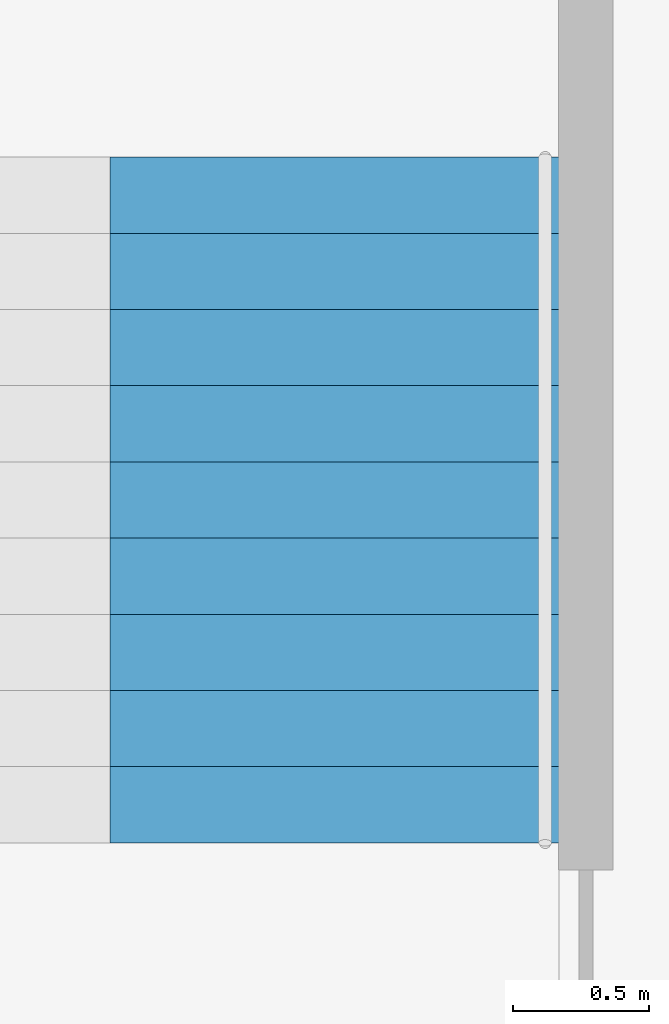
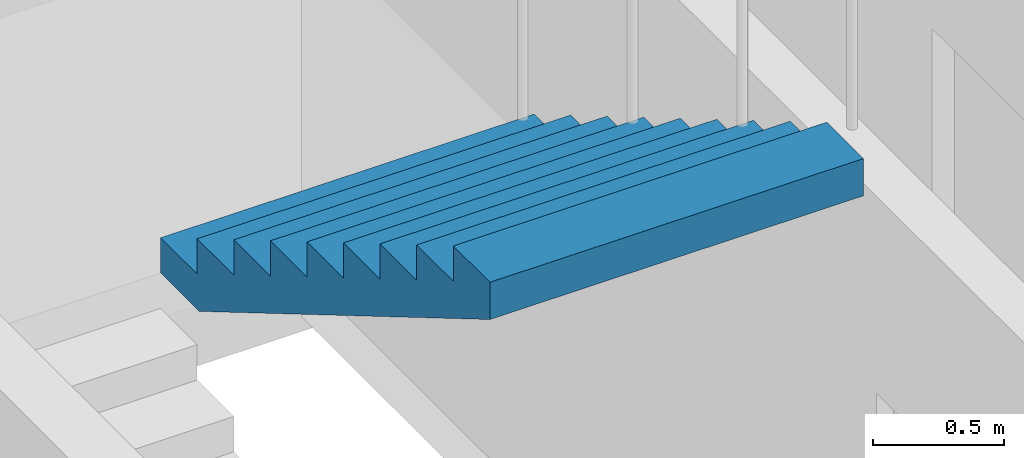
# One storey, part 9 of 12: 1 stair flight, 1 element without a shape of its own.
"""IFC4 building model written with IfcOpenShell, lengths in metres."""

from ifc_helpers import new_model, si_unit, direction, frame, origin, place, context, subcontext, project, spatial, polyline, outline, extrude, material, type_object, element, aggregate, save


model = new_model("IFC4")

# Units and contexts
model_context = context("Model", 3, precision=1e-05, world=origin(), true_north=direction((0.0, 1.0)))
body_context = subcontext(model_context, "Body", "Model", "MODEL_VIEW")
ifc_project = project(units=[si_unit("LENGTHUNIT", "METRE"), si_unit("AREAUNIT", "SQUARE_METRE"), si_unit("VOLUMEUNIT", "CUBIC_METRE"), si_unit("PLANEANGLEUNIT", "RADIAN"), si_unit("MASSUNIT", "GRAM", prefix="KILO")], contexts=[model_context])

# Site, building, storey
site_placement = place(None, origin())
site = spatial("IfcSite", under=ifc_project, at=site_placement, CompositionType="ELEMENT")
building_placement = place(site_placement, origin())
building = spatial("IfcBuilding", under=site, at=building_placement, Name="Taillehof Tower", CompositionType="ELEMENT")
storey_placement = place(building_placement, frame((0.0, 0.0, 239.89990234375)))
storey = spatial("IfcBuildingStorey", under=building, at=storey_placement, Name="L68", CompositionType="ELEMENT", Elevation=239.89990234375)

# Stair, stair flight
ifc_material_1 = material(Name="Concrete C40/50", Category="concrete")
stair_type = type_object("IfcStairType", Name="Exit stair half-turn", PredefinedType="HALF_TURN_STAIR", material=ifc_material_1)
stair_placement = place(storey_placement, origin())
stair = element("IfcStair", 1, at=stair_placement, inside=storey, type_object=stair_type, Name="Exit stair S3", PredefinedType="HALF_TURN_STAIR")
ifc_material_2 = material(Name="Concrete C40/50", Category="concrete")
stair_flight_type = type_object("IfcStairFlightType", Name="Stair flight 1650 riser 165.0 going 280", PredefinedType="STRAIGHT", material=ifc_material_2)
stair_flight_placement = place(storey_placement, frame((-11.77490234375, 11.969970703125, 1.650146484375), z_axis=(0.0, 0.0, 1.0), x_axis=(0.0, -1.0, 0.0)))
stair_flight = element("IfcStairFlight", 2, at=stair_flight_placement, type_object=stair_flight_type, Name="S3 flight 2", NumberOfRisers=10, NumberOfTreads=9, PredefinedType="STRAIGHT", RiserHeight=0.165, TreadLength=0.28, context=body_context, shape_type="SweptSolid", body=[
    extrude(outline(polyline([(0.0, 0.0), (0.0, 0.00537109375), (0.0, 0.0107421875), (0.0, 0.015869140625), (0.0, 0.021240234375), (0.0, 0.026611328125), (0.0, 0.031982421875), (0.0, 0.037353515625), (0.0, 0.04248046875), (0.0, 0.0478515625), (0.0, 0.05322265625), (0.0, 0.05859375), (0.0, 0.06396484375), (0.0, 0.069091796875), (0.0, 0.074462890625), (0.0, 0.079833984375), (0.0, 0.085205078125), (0.0, 0.090576171875), (0.0, 0.095703125), (0.0, 0.10107421875), (0.0, 0.1064453125), (0.0, 0.11181640625), (0.0, 0.1171875), (0.0, 0.122314453125), (0.0, 0.127685546875), (0.0, 0.133056640625), (0.0, 0.138427734375), (0.0, 0.143798828125), (0.0, 0.14892578125), (0.0, 0.154296875), (0.0, 0.15966796875), (0.0, 0.1650390625), (0.280029296875, 0.1650390625), (0.280029296875, 0.330078125), (0.56005859375, 0.330078125), (0.56005859375, 0.4951171875), (0.840087890625, 0.4951171875), (0.840087890625, 0.659912109375), (1.1201171875, 0.659912109375), (1.1201171875, 0.824951171875), (1.39990234375, 0.824951171875), (1.39990234375, 0.989990234375), (1.679931640625, 0.989990234375), (1.679931640625, 1.155029296875), (1.9599609375, 1.155029296875), (1.9599609375, 1.320068359375), (2.239990234375, 1.320068359375), (2.239990234375, 1.485107421875), (2.52001953125, 1.485107421875), (2.52001953125, 1.4794921875), (2.52001953125, 1.473876953125), (2.52001953125, 1.46826171875), (2.52001953125, 1.462646484375), (2.52001953125, 1.45703125), (2.52001953125, 1.451416015625), (2.52001953125, 1.44580078125), (2.52001953125, 1.440185546875), (2.52001953125, 1.4345703125), (2.52001953125, 1.428955078125), (2.52001953125, 1.42333984375), (2.52001953125, 1.417724609375), (2.52001953125, 1.412109375), (2.52001953125, 1.406494140625), (2.52001953125, 1.40087890625), (2.52001953125, 1.395263671875), (2.52001953125, 1.3896484375), (2.52001953125, 1.384033203125), (2.52001953125, 1.37841796875), (2.52001953125, 1.372802734375), (2.52001953125, 1.3671875), (2.52001953125, 1.361572265625), (2.52001953125, 1.35595703125), (2.52001953125, 1.350341796875), (2.52001953125, 1.3447265625), (2.52001953125, 1.339111328125), (2.52001953125, 1.33349609375), (2.52001953125, 1.327880859375), (2.52001953125, 1.322265625), (2.52001953125, 1.316650390625), (2.52001953125, 1.31103515625), (0.295166015625, 0.0), (0.0, 0.0)])), frame((0.0, 0.824951171875, 0.0), z_axis=(0.0, -1.0, 0.0), x_axis=(1.0, 0.0, 0.0)), (0.0, 0.0, 1.0), 1.65),
])
aggregate(stair, [stair_flight])

save(model, "model.ifc")
